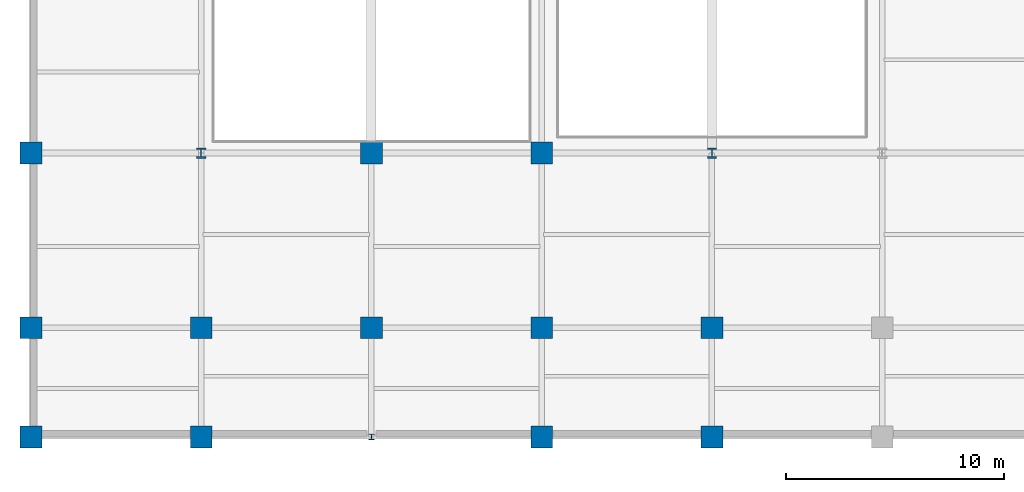
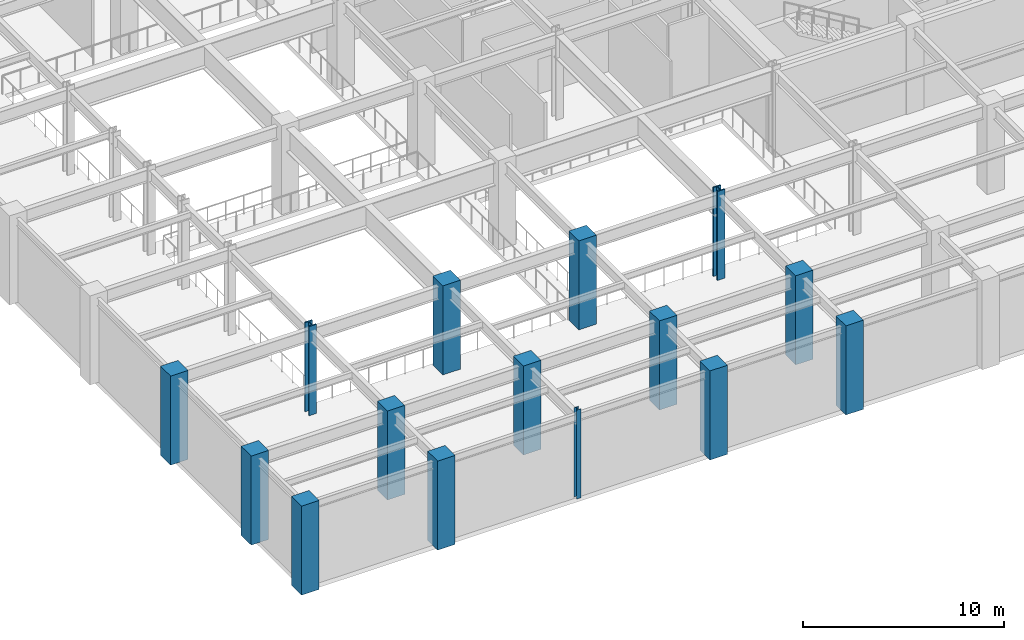
# One storey, part 1 of 15: 15 columns.
"""IFC4 building model written with IfcOpenShell, lengths in metres."""

from ifc_helpers import new_model, si_unit, direction, frame, origin, origin_2d, place, context, subcontext, project, spatial, rectangle, i_section, extrude, material, material_profile, profile_set, type_object, element, save


model = new_model("IFC4")

# Units and contexts
model_context = context("Model", 3, precision=1e-05, world=origin(), true_north=direction((0.0, 1.0)))
body_context = subcontext(model_context, "Body", "Model", "MODEL_VIEW")
ifc_project = project(units=[si_unit("LENGTHUNIT", "METRE"), si_unit("AREAUNIT", "SQUARE_METRE"), si_unit("VOLUMEUNIT", "CUBIC_METRE"), si_unit("PLANEANGLEUNIT", "RADIAN"), si_unit("MASSUNIT", "GRAM", prefix="KILO")], contexts=[model_context])

# Site, building, storey
site_placement = place(None, origin())
site = spatial("IfcSite", under=ifc_project, at=site_placement, CompositionType="ELEMENT")
building_placement = place(site_placement, origin())
building = spatial("IfcBuilding", under=site, at=building_placement, Name="Veymaron Broadcast Tower", CompositionType="ELEMENT")
storey_placement = place(building_placement, frame((0.0, 0.0, 5.39990234375)))
storey = spatial("IfcBuildingStorey", under=building, at=storey_placement, Name="L01", CompositionType="ELEMENT", Elevation=5.39990234375)

# Columns
ifc_material_1 = material(Name="Structural steel ASTM A913 Gr 65", Category="steel")
ifc_material_profile_1 = material_profile(ifc_material_1, i_section(OverallWidth=0.424072265625, OverallDepth=0.47412109375, WebThickness=0.047607421875, FlangeThickness=0.076904296875, at=origin_2d()), Name="W360X634")
ifc_profile_set_1 = profile_set([ifc_material_profile_1], Name="Structural steel ASTM A913 Gr 65")
column_type_1 = type_object("IfcColumnType", Name="COL-MC1", PredefinedType="COLUMN", material=ifc_profile_set_1)
for number, where, z_axis, x_axis, name in (
    (1, (7.800048828125, 8.0, 0.0), (0.0, 0.0, 1.0), (1.0, 0.0, 0.0), "L01 column (7.8, 8.0)"),
    (2, (31.199951171875, 8.0, 0.0), (0.0, 0.0, 1.0), (1.0, 0.0, 0.0), "L01 column (31.2, 8.0)"),
):
    element("IfcColumn", number, at=place(storey_placement, frame(where, z_axis=z_axis, x_axis=x_axis)), inside=storey, type_object=column_type_1, Name=name, PredefinedType="COLUMN", context=body_context, shape_type="SweptSolid", body=[
        extrude(i_section(OverallWidth=0.424072265625, OverallDepth=0.47412109375, WebThickness=0.047607421875, FlangeThickness=0.076904296875, at=origin_2d()), origin(), (0.0, 0.0, 1.0), 5.39501953125),
    ])
ifc_material_2 = material(Name="Concrete C60/75", Category="concrete")
ifc_material_profile_2 = material_profile(ifc_material_2, rectangle(XDim=1.0, YDim=1.0, at=origin_2d()), Name="RC1000X1000")
ifc_profile_set_2 = profile_set([ifc_material_profile_2], Name="Concrete C60/75")
column_type_2 = type_object("IfcColumnType", Name="COL-RC3", PredefinedType="COLUMN", material=ifc_profile_set_2)
for number, where, z_axis, x_axis, name in (
    (3, (0.0, -5.0, 0.0), (0.0, 0.0, 1.0), (1.0, 0.0, 0.0), "L01 column (0.0, -5.0)"),
    (4, (0.0, 0.0, 0.0), (0.0, 0.0, 1.0), (1.0, 0.0, 0.0), "L01 column (0.0, 0.0)"),
    (5, (0.0, 8.0, 0.0), (0.0, 0.0, 1.0), (1.0, 0.0, 0.0), "L01 column (0.0, 8.0)"),
    (6, (7.800048828125, -5.0, 0.0), (0.0, 0.0, 1.0), (1.0, 0.0, 0.0), "L01 column (7.8, -5.0)"),
    (7, (7.800048828125, 0.0, 0.0), (0.0, 0.0, 1.0), (1.0, 0.0, 0.0), "L01 column (7.8, 0.0)"),
    (8, (15.60009765625, 0.0, 0.0), (0.0, 0.0, 1.0), (1.0, 0.0, 0.0), "L01 column (15.6, 0.0)"),
    (9, (15.60009765625, 8.0, 0.0), (0.0, 0.0, 1.0), (1.0, 0.0, 0.0), "L01 column (15.6, 8.0)"),
    (10, (23.39990234375, -5.0, 0.0), (0.0, 0.0, 1.0), (1.0, 0.0, 0.0), "L01 column (23.4, -5.0)"),
    (11, (23.39990234375, 0.0, 0.0), (0.0, 0.0, 1.0), (1.0, 0.0, 0.0), "L01 column (23.4, 0.0)"),
    (12, (23.39990234375, 8.0, 0.0), (0.0, 0.0, 1.0), (1.0, 0.0, 0.0), "L01 column (23.4, 8.0)"),
    (13, (31.199951171875, -5.0, 0.0), (0.0, 0.0, 1.0), (1.0, 0.0, 0.0), "L01 column (31.2, -5.0)"),
    (14, (31.199951171875, 0.0, 0.0), (0.0, 0.0, 1.0), (1.0, 0.0, 0.0), "L01 column (31.2, 0.0)"),
):
    element("IfcColumn", number, at=place(storey_placement, frame(where, z_axis=z_axis, x_axis=x_axis)), inside=storey, type_object=column_type_2, Name=name, PredefinedType="COLUMN", context=body_context, shape_type="SweptSolid", body=[
        extrude(rectangle(XDim=1.0, YDim=1.0, at=origin_2d()), origin(), (0.0, 0.0, 1.0), 5.39501953125),
    ])
ifc_material_3 = material(Name="Structural steel ASTM A992 Gr 50", Category="steel")
ifc_material_profile_3 = material_profile(ifc_material_3, i_section(OverallWidth=0.256103515625, OverallDepth=0.260009765625, WebThickness=0.0107421875, FlangeThickness=0.017333984375, at=origin_2d()), Name="W250X89")
ifc_profile_set_3 = profile_set([ifc_material_profile_3], Name="Structural steel ASTM A992 Gr 50")
column_type_3 = type_object("IfcColumnType", Name="COL-SC4", PredefinedType="PILASTER", material=ifc_profile_set_3)
column_placement = place(storey_placement, frame((15.60009765625, -5.0, 0.0), z_axis=(0.0, 0.0, 1.0), x_axis=(1.0, 0.0, 0.0)))
element("IfcColumn", 15, at=column_placement, inside=storey, type_object=column_type_3, Name="L01 column (15.6, -5.0)", PredefinedType="PILASTER", context=body_context, shape_type="SweptSolid", body=[
    extrude(i_section(OverallWidth=0.256103515625, OverallDepth=0.260009765625, WebThickness=0.0107421875, FlangeThickness=0.017333984375, at=origin_2d()), origin(), (0.0, 0.0, 1.0), 5.39501953125),
])

save(model, "model.ifc")
